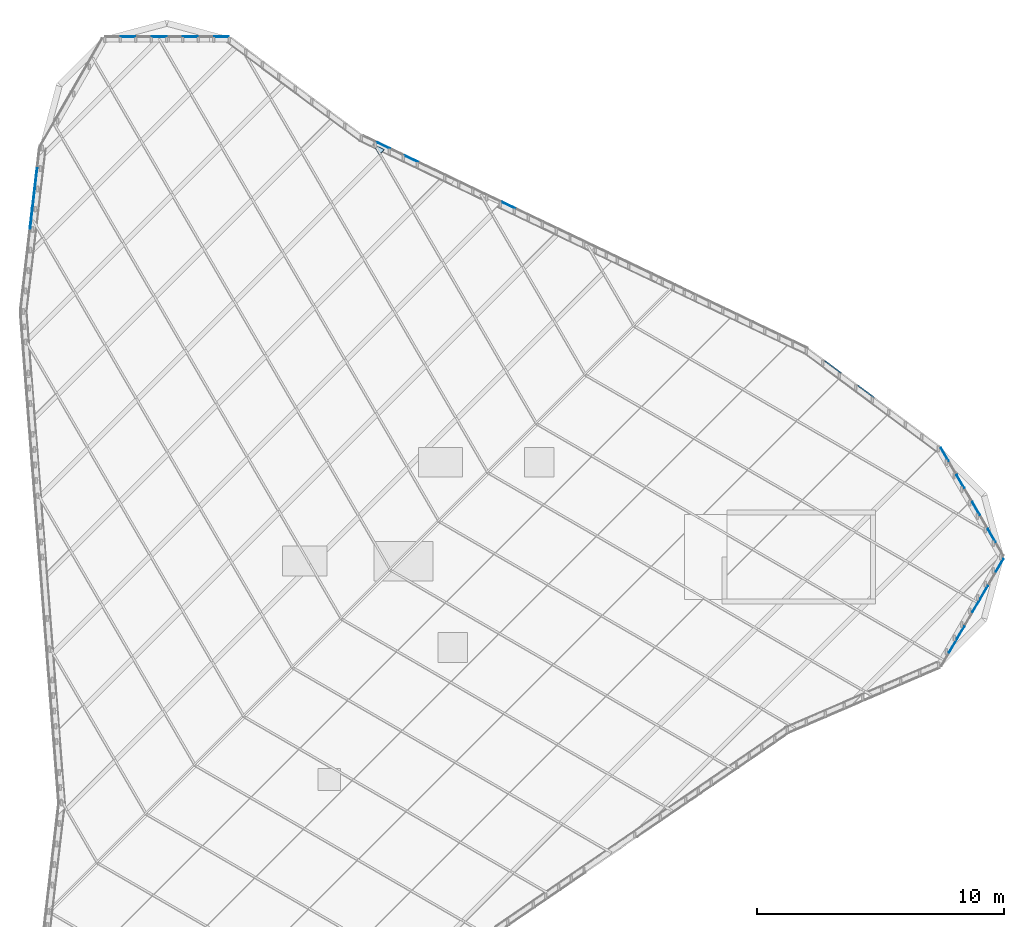
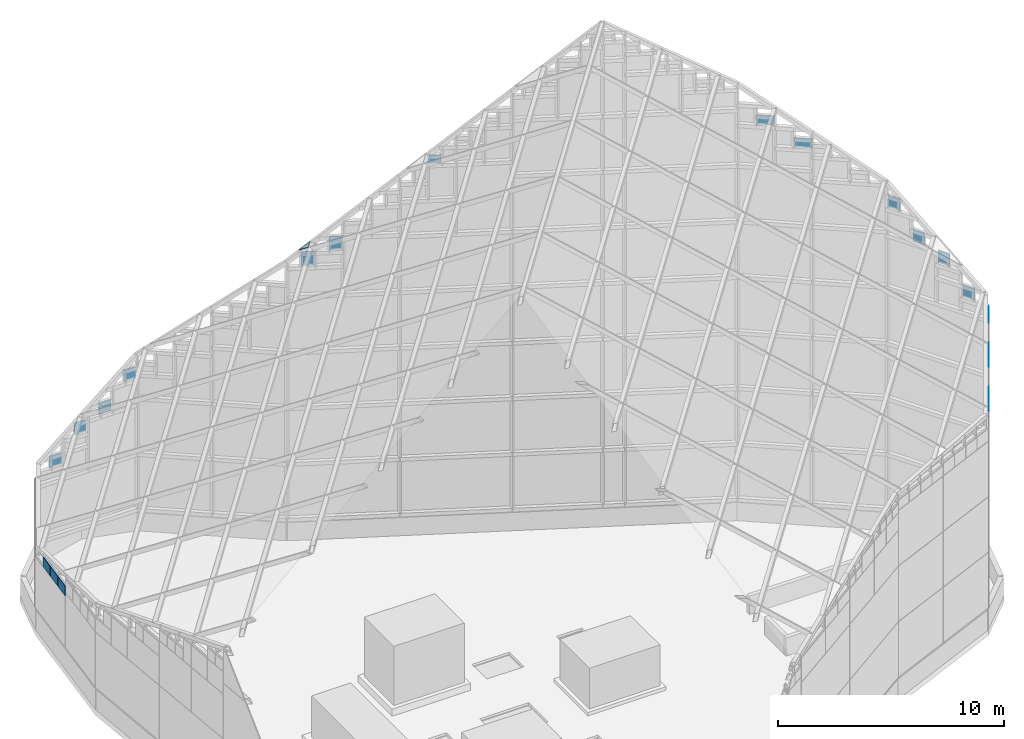
# One storey, part 24 of 29: 22 plates, 1 element without a shape of its own.
"""IFC4 building model written with IfcOpenShell, lengths in metres."""

from ifc_helpers import new_model, si_unit, direction, frame, origin, place, context, subcontext, project, spatial, polyline, outline, extrude, material, layer, layer_set, type_object, element, aggregate, save


model = new_model("IFC4")

# Units and contexts
model_context = context("Model", 3, precision=1e-05, world=origin(), true_north=direction((0.0, 1.0)))
body_context = subcontext(model_context, "Body", "Model", "MODEL_VIEW")
ifc_project = project(units=[si_unit("LENGTHUNIT", "METRE"), si_unit("AREAUNIT", "SQUARE_METRE"), si_unit("VOLUMEUNIT", "CUBIC_METRE"), si_unit("PLANEANGLEUNIT", "RADIAN"), si_unit("MASSUNIT", "GRAM", prefix="KILO")], contexts=[model_context])

# Site, building, storey
site_placement = place(None, origin())
site = spatial("IfcSite", under=ifc_project, at=site_placement, CompositionType="ELEMENT")
building_placement = place(site_placement, origin())
building = spatial("IfcBuilding", under=site, at=building_placement, Name="Tanit Gate Tower", CompositionType="ELEMENT")
storey_placement = place(building_placement, frame((0.0, 0.0, 445.300048828125)))
storey = spatial("IfcBuildingStorey", under=building, at=storey_placement, Name="ROOF", CompositionType="ELEMENT", Elevation=445.300048828125)

# Curtain wall, plates
ifc_material_1 = material(Name="Aluminium bronze anodised and glass", Category="aluminium")
curtain_wall_type = type_object("IfcCurtainWallType", Name="Curtain wall crown roof", PredefinedType="NOTDEFINED", material=ifc_material_1)
curtain_wall_placement = place(storey_placement, origin())
curtain_wall = element("IfcCurtainWall", 1, at=curtain_wall_placement, inside=storey, type_object=curtain_wall_type, Name="Crown lantern", PredefinedType="NOTDEFINED")
ifc_material_2 = material(Name="Glass tinted laminated safety", Category="glass")
ifc_layer = layer(ifc_material_2, 0.033935546875)
ifc_layer_set = layer_set([ifc_layer], Name="Glass panel 34 crown roof")
plate_type = type_object("IfcPlateType", Name="Glass panel 34 crown roof", PredefinedType="CURTAIN_PANEL", material=ifc_layer_set)
plate_1_placement = place(storey_placement, frame((19.05126953125, 6.48046875, 20.310302734375), z_axis=(0.597465980378, 0.801894258797, 0.0), x_axis=(-0.801894258797, 0.597465980378, 0.0)))
plate_1 = element("IfcPlate", 2, at=plate_1_placement, type_object=plate_type, Name="Lantern clerestory glass 2.7.2", PredefinedType="CURTAIN_PANEL", context=body_context, shape_type="SweptSolid", body=[
    extrude(outline(polyline([(0.0, 0.0), (0.8025430790161721, 0.0), (0.8025430790161721, 0.517822265625), (0.0, 0.517822265625), (0.0, 0.0)])), origin(), (0.0, 0.0, -1.0), 0.033935546875),
])
plate_2_placement = place(storey_placement, frame((17.716064453125, 7.47509765625, 21.40576171875), z_axis=(0.59732025827, 0.80200281113, 0.0), x_axis=(-0.80200281113, 0.59732025827, 0.0)))
plate_2 = element("IfcPlate", 3, at=plate_2_placement, type_object=plate_type, Name="Lantern clerestory glass 2.7.5", PredefinedType="CURTAIN_PANEL", context=body_context, shape_type="SweptSolid", body=[
    extrude(outline(polyline([(0.0, 0.0), (0.8027388672343321, 0.0), (0.8027388672343321, 0.517822265625), (0.0, 0.517822265625), (0.0, 0.0)])), origin(), (0.0, 0.0, -1.0), 0.033935546875),
])
plate_3_placement = place(storey_placement, frame((4.533935546875, 14.12890625, 19.974609375), z_axis=(0.431193670556, 0.902259396445, 0.0), x_axis=(-0.902259396445, 0.431193670556, 0.0)))
plate_3 = element("IfcPlate", 4, at=plate_3_placement, type_object=plate_type, Name="Lantern clerestory glass 6.6.13", PredefinedType="CURTAIN_PANEL", context=body_context, shape_type="SweptSolid", body=[
    extrude(outline(polyline([(0.0, 0.0), (0.5939408045920368, 0.0), (0.5939408045920368, 0.43994140624999994), (0.0, 0.43994140624999994), (0.0, 0.0)])), origin(), (0.0, 0.0, -1.0), 0.033935546875),
])
plate_4_placement = place(storey_placement, frame((0.593017578125, 16.01171875, 15.53662109375), z_axis=(0.431193670556, 0.902259396445, 0.0), x_axis=(-0.902259396445, 0.431193670556, 0.0)))
plate_4 = element("IfcPlate", 5, at=plate_4_placement, type_object=plate_type, Name="Lantern clerestory glass 7.5.4", PredefinedType="CURTAIN_PANEL", context=body_context, shape_type="SweptSolid", body=[
    extrude(outline(polyline([(0.0, 0.0), (0.5939408045920368, 0.0), (0.5939408045920368, 0.743896484375), (0.0, 0.743896484375), (0.0, 0.0)])), origin(), (0.0, 0.0, -1.0), 0.033935546875),
])
plate_5_placement = place(storey_placement, frame((-0.532958984375, 16.549560546875, 14.7626953125), z_axis=(0.431193670556, 0.902259396445, 0.0), x_axis=(-0.902259396445, 0.431193670556, 0.0)))
plate_5 = element("IfcPlate", 6, at=plate_5_placement, type_object=plate_type, Name="Lantern clerestory glass 7.5.5", PredefinedType="CURTAIN_PANEL", context=body_context, shape_type="SweptSolid", body=[
    extrude(outline(polyline([(0.0, 0.0), (0.5939408045920368, 0.0), (0.5939408045920368, 0.743896484375), (0.0, 0.743896484375), (0.0, 0.0)])), origin(), (0.0, 0.0, -1.0), 0.033935546875),
])
plate_6_placement = place(storey_placement, frame((-10.847900390625, 21.079833984375, 4.881103515625), z_axis=(0.000406669344, 0.99999991731, 0.0), x_axis=(-0.99999991731, 0.000406669344, 0.0)))
plate_6 = element("IfcPlate", 7, at=plate_6_placement, type_object=plate_type, Name="Lantern clerestory glass 10.2.4", PredefinedType="CURTAIN_PANEL", context=body_context, shape_type="SweptSolid", body=[
    extrude(outline(polyline([(0.0, 0.0), (0.600341846517256, 0.0), (0.600341846517256, 0.635986328125), (0.0, 0.635986328125), (0.0, 0.0)])), origin(), (0.0, 0.0, -1.0), 0.033935546875),
])
plate_7_placement = place(storey_placement, frame((-9.587646484375, 21.079345703125, 6.21337890625), z_axis=(0.000406834791, 0.999999917243, 0.0), x_axis=(-0.999999917243, 0.000406834791, 0.0)))
plate_7 = element("IfcPlate", 8, at=plate_7_placement, type_object=plate_type, Name="Lantern clerestory glass 10.2.6", PredefinedType="CURTAIN_PANEL", context=body_context, shape_type="SweptSolid", body=[
    extrude(outline(polyline([(0.0, 0.0), (0.6000977059124522, 0.0), (0.6000977059124522, 0.635986328125), (0.0, 0.635986328125), (0.0, 0.0)])), origin(), (0.0, 0.0, -1.0), 0.033935546875),
])
plate_8_placement = place(storey_placement, frame((-8.3271484375, 21.07861328125, 6.87939453125), z_axis=(0.000406669344, 0.99999991731, 0.0), x_axis=(-0.99999991731, 0.000406669344, 0.0)))
plate_8 = element("IfcPlate", 9, at=plate_8_placement, type_object=plate_type, Name="Lantern clerestory glass 10.2.8", PredefinedType="CURTAIN_PANEL", context=body_context, shape_type="SweptSolid", body=[
    extrude(outline(polyline([(0.0, 0.0), (0.600341846517256, 0.0), (0.600341846517256, 0.63623046875), (0.0, 0.63623046875), (0.0, 0.0)])), origin(), (0.0, 0.0, -1.0), 0.033935546875),
])
plate_9_placement = place(storey_placement, frame((-7.06689453125, 21.078125, 8.211669921875), z_axis=(0.000406834791, 0.999999917243, 0.0), x_axis=(-0.999999917243, 0.000406834791, 0.0)))
plate_9 = element("IfcPlate", 10, at=plate_9_placement, type_object=plate_type, Name="Lantern clerestory glass 10.2.9", PredefinedType="CURTAIN_PANEL", context=body_context, shape_type="SweptSolid", body=[
    extrude(outline(polyline([(0.0, 0.0), (0.6000977059124522, 0.0), (0.6000977059124522, 0.63623046875), (0.0, 0.63623046875), (0.0, 0.0)])), origin(), (0.0, 0.0, -1.0), 0.033935546875),
])
plate_10_placement = place(storey_placement, frame((-14.847412109375, 15.7392578125, 3.97705078125), z_axis=(-0.993189999355, 0.116505901915, 0.0), x_axis=(-0.116505901915, -0.993189999355, 0.0)))
plate_10 = element("IfcPlate", 11, at=plate_10_placement, type_object=plate_type, Name="Lantern clerestory glass 12.2.1", PredefinedType="CURTAIN_PANEL", context=body_context, shape_type="SweptSolid", body=[
    extrude(outline(polyline([(0.0, 0.0), (0.8025847432440988, 0.0), (0.8025847432440988, 0.51513671875), (0.0, 0.51513671875), (0.0, 0.0)])), origin(), (0.0, 0.0, -1.0), 0.033935546875),
])
plate_11_placement = place(storey_placement, frame((-14.9443359375, 14.912353515625, 3.97705078125), z_axis=(-0.993225154196, 0.116205822022, 0.0), x_axis=(-0.116205822022, -0.993225154196, 0.0)))
plate_11 = element("IfcPlate", 12, at=plate_11_placement, type_object=plate_type, Name="Lantern clerestory glass 12.2.2", PredefinedType="CURTAIN_PANEL", context=body_context, shape_type="SweptSolid", body=[
    extrude(outline(polyline([(0.0, 0.0), (0.8025563360505868, 0.0), (0.8025563360505868, 0.51513671875), (0.0, 0.51513671875), (0.0, 0.0)])), origin(), (0.0, 0.0, -1.0), 0.033935546875),
])
plate_12_placement = place(storey_placement, frame((-15.041259765625, 14.08544921875, 3.97705078125), z_axis=(-0.993225154196, 0.116205822022, 0.0), x_axis=(-0.116205822022, -0.993225154196, 0.0)))
plate_12 = element("IfcPlate", 13, at=plate_12_placement, type_object=plate_type, Name="Lantern clerestory glass 12.2.3", PredefinedType="CURTAIN_PANEL", context=body_context, shape_type="SweptSolid", body=[
    extrude(outline(polyline([(0.0, 0.0), (0.8025563360505868, 0.0), (0.8025563360505868, 0.51513671875), (0.0, 0.51513671875), (0.0, 0.0)])), origin(), (0.0, 0.0, -1.0), 0.033935546875),
])
plate_13_placement = place(storey_placement, frame((22.102783203125, -3.873291015625, 11.285888671875), z_axis=(0.865602610576, -0.500731585347, 0.0), x_axis=(0.500731585347, 0.865602610576, 0.0)))
plate_13 = element("IfcPlate", 14, at=plate_13_placement, type_object=plate_type, Name="Lantern clerestory glass 31.4.2", PredefinedType="CURTAIN_PANEL", context=body_context, shape_type="SweptSolid", body=[
    extrude(outline(polyline([(0.0, 0.0), (0.6001960295087291, 0.0), (0.6001960295087291, 0.505615234375), (0.0, 0.505615234375), (0.0, 0.0)])), origin(), (0.0, 0.0, -1.0), 0.033935546875),
])
plate_14_placement = place(storey_placement, frame((22.418212890625, -3.32763671875, 11.285888671875), z_axis=(0.865778900179, -0.500426713919, 0.0), x_axis=(0.500426713919, 0.865778900179, 0.0)))
plate_14 = element("IfcPlate", 15, at=plate_14_placement, type_object=plate_type, Name="Lantern clerestory glass 31.4.4", PredefinedType="CURTAIN_PANEL", context=body_context, shape_type="SweptSolid", body=[
    extrude(outline(polyline([(0.0, 0.0), (0.6000738177984865, 0.0), (0.6000738177984865, 0.5056152343750001), (0.0, 0.5056152343750001), (0.0, 0.0)])), origin(), (0.0, 0.0, -1.0), 0.033935546875),
])
plate_15_placement = place(storey_placement, frame((23.048828125, -2.236572265625, 12.357177734375), z_axis=(0.865704546572, -0.500555329653, 0.0), x_axis=(0.500555329653, 0.865704546572, 0.0)))
plate_15 = element("IfcPlate", 16, at=plate_15_placement, type_object=plate_type, Name="Lantern clerestory glass 31.4.7", PredefinedType="CURTAIN_PANEL", context=body_context, shape_type="SweptSolid", body=[
    extrude(outline(polyline([(0.0, 0.0), (0.6004073707166261, 0.0), (0.6004073707166261, 0.50537109375), (0.0, 0.50537109375), (0.0, 0.0)])), origin(), (0.0, 0.0, -1.0), 0.033935546875),
])
plate_16_placement = place(storey_placement, frame((23.3642578125, -1.69091796875, 12.357177734375), z_axis=(0.865778900179, -0.500426713919, 0.0), x_axis=(0.500426713919, 0.865778900179, 0.0)))
plate_16 = element("IfcPlate", 17, at=plate_16_placement, type_object=plate_type, Name="Lantern clerestory glass 31.4.8", PredefinedType="CURTAIN_PANEL", context=body_context, shape_type="SweptSolid", body=[
    extrude(outline(polyline([(0.0, 0.0), (0.6000738177984863, 0.0), (0.6000738177984863, 0.5053710937499999), (0.0, 0.5053710937499999), (0.0, 0.0)])), origin(), (0.0, 0.0, -1.0), 0.033935546875),
])
plate_17_placement = place(storey_placement, frame((23.9951171875, -0.599609375, 13.42822265625), z_axis=(0.865778900179, -0.500426713919, 0.0), x_axis=(0.500426713919, 0.865778900179, 0.0)))
plate_17 = element("IfcPlate", 18, at=plate_17_placement, type_object=plate_type, Name="Lantern clerestory glass 31.4.10", PredefinedType="CURTAIN_PANEL", context=body_context, shape_type="SweptSolid", body=[
    extrude(outline(polyline([(0.0, 0.0), (0.6000738177984863, 0.0), (0.6000738177984863, 0.5053710937499999), (0.0, 0.5053710937499999), (0.0, 0.0)])), origin(), (0.0, 0.0, -1.0), 0.033935546875),
])
plate_18_placement = place(storey_placement, frame((23.978759765625, 0.626953125, 13.916259765625), z_axis=(0.865333729576, 0.50119610579, 0.0), x_axis=(-0.50119610579, 0.865333729576, 0.0)))
plate_18 = element("IfcPlate", 19, at=plate_18_placement, type_object=plate_type, Name="Lantern clerestory glass 32.5.2", PredefinedType="CURTAIN_PANEL", context=body_context, shape_type="SweptSolid", body=[
    extrude(outline(polyline([(0.0, 0.0), (0.6020753334156317, 0.0), (0.6020753334156317, 0.67138671875), (0.0, 0.67138671875), (0.0, 0.0)])), origin(), (0.0, 0.0, -1.0), 0.033935546875),
])
plate_19_placement = place(storey_placement, frame((23.345458984375, 1.720703125, 15.31884765625), z_axis=(0.865509577474, 0.500892374967, 0.0), x_axis=(-0.500892374967, 0.865509577474, 0.0)))
plate_19 = element("IfcPlate", 20, at=plate_19_placement, type_object=plate_type, Name="Lantern clerestory glass 32.5.5", PredefinedType="CURTAIN_PANEL", context=body_context, shape_type="SweptSolid", body=[
    extrude(outline(polyline([(0.0, 0.0), (0.6019530081578661, 0.0), (0.6019530081578661, 0.67138671875), (0.0, 0.67138671875), (0.0, 0.0)])), origin(), (0.0, 0.0, -1.0), 0.033935546875),
])
plate_20_placement = place(storey_placement, frame((22.712158203125, 2.814453125, 16.020263671875), z_axis=(0.865509577474, 0.500892374967, 0.0), x_axis=(-0.500892374967, 0.865509577474, 0.0)))
plate_20 = element("IfcPlate", 21, at=plate_20_placement, type_object=plate_type, Name="Lantern clerestory glass 32.5.7", PredefinedType="CURTAIN_PANEL", context=body_context, shape_type="SweptSolid", body=[
    extrude(outline(polyline([(0.0, 0.0), (0.6019530081578661, 0.0), (0.6019530081578661, 0.67138671875), (0.0, 0.67138671875), (0.0, 0.0)])), origin(), (0.0, 0.0, -1.0), 0.033935546875),
])
plate_21_placement = place(storey_placement, frame((22.0791015625, 3.908203125, 17.4228515625), z_axis=(0.865333729576, 0.50119610579, 0.0), x_axis=(-0.50119610579, 0.865333729576, 0.0)))
plate_21 = element("IfcPlate", 22, at=plate_21_placement, type_object=plate_type, Name="Lantern clerestory glass 32.5.9", PredefinedType="CURTAIN_PANEL", context=body_context, shape_type="SweptSolid", body=[
    extrude(outline(polyline([(0.0, 0.0), (0.6020753334156317, 0.0), (0.6020753334156317, 0.67138671875), (0.0, 0.67138671875), (0.0, 0.0)])), origin(), (0.0, 0.0, -1.0), 0.033935546875),
])
plate_22_placement = place(storey_placement, frame((-0.98876953125, 16.29296875, 16.01708984375), z_axis=(-0.624232559446, 0.207835385021, 0.75308576169), x_axis=(0.658841898066, 0.658079349573, 0.364498179717)))
plate_22 = element("IfcPlate", 23, at=plate_22_placement, type_object=plate_type, Name="Lantern roof glass E11.6.1", PredefinedType="CURTAIN_PANEL", context=body_context, shape_type="SweptSolid", body=[
    extrude(outline(polyline([(0.0, 0.0), (0.32016406457913615, -1.3877787807814457e-17), (-0.00011691417326346876, 0.5958706864965245), (0.0, 0.0)])), origin(), (0.0, 0.0, -1.0), 0.033935546875),
])
aggregate(curtain_wall, [plate_1, plate_2, plate_3, plate_4, plate_5, plate_6, plate_7, plate_8, plate_9, plate_10, plate_11, plate_12, plate_13, plate_14, plate_15, plate_16, plate_17, plate_18, plate_19, plate_20, plate_21, plate_22])

save(model, "model.ifc")
